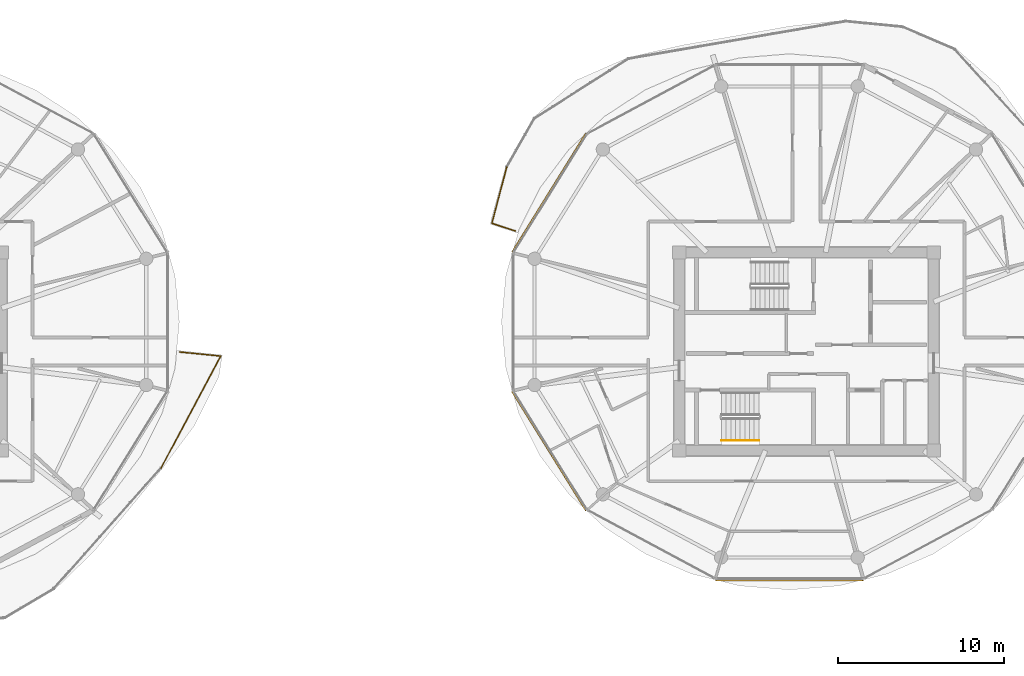
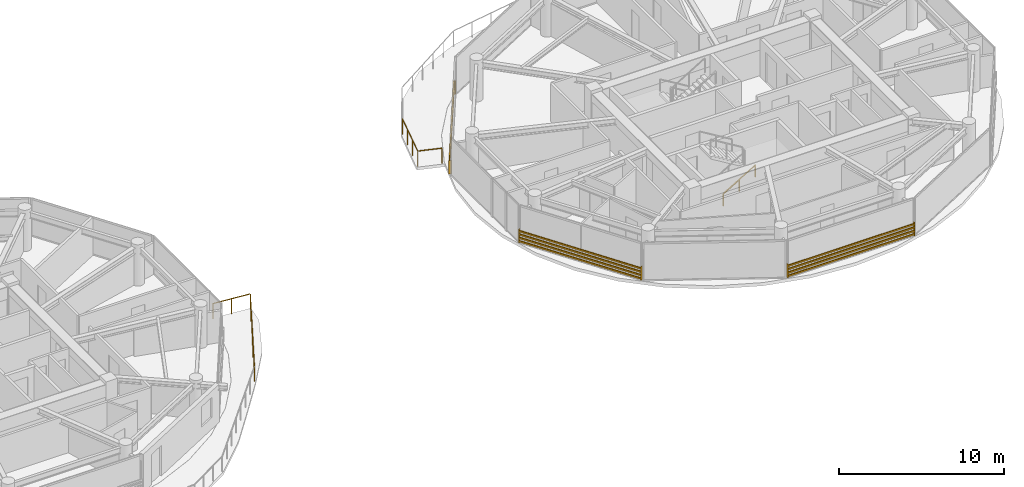
# One storey, part 20 of 22: 3 railings, 3 shading devices.
"""IFC4 building model written with IfcOpenShell, lengths in metres."""

from ifc_helpers import new_model, si_unit, direction, frame, origin, origin_2d, place, context, subcontext, project, spatial, rectangle, extrude, source, transform, mapped, material, type_object, type_shapes, element, save


model = new_model("IFC4")

# Units and contexts
model_context = context("Model", 3, precision=1e-05, world=origin(), true_north=direction((0.0, 1.0)))
body_context = subcontext(model_context, "Body", "Model", "MODEL_VIEW")
ifc_project = project(units=[si_unit("LENGTHUNIT", "METRE"), si_unit("AREAUNIT", "SQUARE_METRE"), si_unit("VOLUMEUNIT", "CUBIC_METRE"), si_unit("PLANEANGLEUNIT", "RADIAN"), si_unit("MASSUNIT", "GRAM", prefix="KILO")], contexts=[model_context])

# Site, building, storey
site_placement = place(None, origin())
site = spatial("IfcSite", under=ifc_project, at=site_placement, CompositionType="ELEMENT")
building_placement = place(site_placement, origin())
building = spatial("IfcBuilding", under=site, at=building_placement, Name="Norrkilde Senior Care Towers", CompositionType="ELEMENT")
storey_placement = place(building_placement, frame((0.0, 0.0, 180.050048828125)))
storey = spatial("IfcBuildingStorey", under=building, at=storey_placement, Name="L56", CompositionType="ELEMENT", Elevation=180.050048828125)

# Railings
ifc_material_1 = material(Name="Anodised Aluminium", Category="aluminium")
railing_type_1 = type_object("IfcRailingType", Name="Balcony Swirl Ribbon Guardrail 1150", PredefinedType="GUARDRAIL", material=ifc_material_1)
railing_1_placement = place(storey_placement, frame((10.517333984375, 7.234375, 0.0)))
element("IfcRailing", 1, at=railing_1_placement, inside=storey, type_object=railing_type_1, Name="L56 Perimeter Safety Guard 02", PredefinedType="GUARDRAIL", context=body_context, shape_type="SweptSolid", body=[
    extrude(rectangle(XDim=0.048095703125, YDim=0.048095703125, at=origin_2d()), frame((0.0, 0.0, 1.1259765625), z_axis=(-0.950551162109, 0.310568008999, 0.0), x_axis=(-0.310568008999, -0.950551162109, 0.0)), (0.0, 0.0, 1.0), 1.44873046875),
    extrude(rectangle(XDim=0.048095703125, YDim=0.048095703125, at=origin_2d()), frame((-1.405517578125, 0.502197265625, 1.1259765625), z_axis=(0.254973999632, 0.96694790941, 0.0), x_axis=(-0.96694790941, 0.254973999632, 0.0)), (0.0, 0.0, 1.0), 3.458740234375),
    extrude(rectangle(XDim=0.0419921875, YDim=0.0419921875, at=origin_2d()), origin(), (0.0, 0.0, 1.0), 1.099853515625),
    extrude(rectangle(XDim=0.0419921875, YDim=0.0419921875, at=origin_2d()), frame((-1.416015625, 0.462646484375, 0.0)), (0.0, 0.0, 1.0), 1.099853515625),
    extrude(rectangle(XDim=0.0419921875, YDim=0.0419921875, at=origin_2d()), frame((-1.11865234375, 1.590576171875, 0.0)), (0.0, 0.0, 1.0), 1.099853515625),
    extrude(rectangle(XDim=0.0419921875, YDim=0.0419921875, at=origin_2d()), frame((-0.821044921875, 2.71875, 0.0)), (0.0, 0.0, 1.0), 1.099853515625),
    extrude(rectangle(XDim=0.0419921875, YDim=0.0419921875, at=origin_2d()), frame((-0.523681640625, 3.8466796875, 0.0)), (0.0, 0.0, 1.0), 1.099853515625),
])
railing_2_placement = place(storey_placement, frame((-9.6640625, -0.03076171875, 0.0)))
element("IfcRailing", 2, at=railing_2_placement, inside=storey, type_object=railing_type_1, Name="L56 Perimeter Safety Guard 04", PredefinedType="GUARDRAIL", context=body_context, shape_type="SweptSolid", body=[
    extrude(rectangle(XDim=0.048095703125, YDim=0.048095703125, at=origin_2d()), frame((0.0, 0.0, 1.1259765625), z_axis=(0.99506626723, -0.099212518467, 0.0), x_axis=(0.099212518467, 0.99506626723, 0.0)), (0.0, 0.0, 1.0), 2.449462890625),
    extrude(rectangle(XDim=0.048095703125, YDim=0.048095703125, at=origin_2d()), frame((2.458740234375, -0.283203125, 1.1259765625), z_axis=(-0.470964823851, -0.8821519907, 0.0), x_axis=(0.8821519907, -0.470964823851, 0.0)), (0.0, 0.0, 1.0), 7.596435546875),
    extrude(rectangle(XDim=0.0419921875, YDim=0.0419921875, at=origin_2d()), origin(), (0.0, 0.0, 1.0), 1.099853515625),
    extrude(rectangle(XDim=0.0419921875, YDim=0.0419921875, at=origin_2d()), frame((1.239013671875, -0.12353515625, 0.0)), (0.0, 0.0, 1.0), 1.099853515625),
    extrude(rectangle(XDim=0.0419921875, YDim=0.0419921875, at=origin_2d()), frame((2.47802734375, -0.2470703125, 0.0)), (0.0, 0.0, 1.0), 1.099853515625),
    extrude(rectangle(XDim=0.0419921875, YDim=0.0419921875, at=origin_2d()), frame((1.87841796875, -1.369873046875, 0.0)), (0.0, 0.0, 1.0), 1.099853515625),
    extrude(rectangle(XDim=0.0419921875, YDim=0.0419921875, at=origin_2d()), frame((1.279052734375, -2.492919921875, 0.0)), (0.0, 0.0, 1.0), 1.099853515625),
    extrude(rectangle(XDim=0.0419921875, YDim=0.0419921875, at=origin_2d()), frame((0.6796875, -3.61572265625, 0.0)), (0.0, 0.0, 1.0), 1.099853515625),
    extrude(rectangle(XDim=0.0419921875, YDim=0.0419921875, at=origin_2d()), frame((0.080078125, -4.738525390625, 0.0)), (0.0, 0.0, 1.0), 1.099853515625),
    extrude(rectangle(XDim=0.0419921875, YDim=0.0419921875, at=origin_2d()), frame((-0.51953125, -5.861572265625, 0.0)), (0.0, 0.0, 1.0), 1.099853515625),
    extrude(rectangle(XDim=0.0419921875, YDim=0.0419921875, at=origin_2d()), frame((-1.118896484375, -6.984375, 0.0)), (0.0, 0.0, 1.0), 1.099853515625),
])
ifc_material_2 = material(Name="Nordic Ash Timber", Category="wood")
railing_type_2 = type_object("IfcRailingType", Name="Wall and Stair Handrail 900", PredefinedType="HANDRAIL", material=ifc_material_2)
railing_3_placement = place(storey_placement, frame((22.89990234375, -5.35009765625, 0.16943359375)))
element("IfcRailing", 3, at=railing_3_placement, inside=storey, type_object=railing_type_2, Name="L56 ST-E2 stair handrail 1", PredefinedType="HANDRAIL", context=body_context, shape_type="SweptSolid", body=[
    extrude(rectangle(XDim=0.048095703125, YDim=0.048095703125, at=origin_2d()), frame((0.0, 0.0, 0.8759765625), z_axis=(0.855553338991, 0.0, 0.51771467445), x_axis=(0.0, 1.0, 0.0)), (0.0, 0.0, 1.0), 2.6181640625),
    extrude(rectangle(XDim=0.0419921875, YDim=0.0419921875, at=origin_2d()), origin(), (0.0, 0.0, 1.0), 0.849853515625),
    extrude(rectangle(XDim=0.0419921875, YDim=0.0419921875, at=origin_2d()), frame((1.1201171875, 0.0, 0.677734375)), (0.0, 0.0, 1.0), 0.849853515625),
    extrude(rectangle(XDim=0.0419921875, YDim=0.0419921875, at=origin_2d()), frame((2.239990234375, 0.0, 1.35546875)), (0.0, 0.0, 1.0), 0.849853515625),
])

# Shading devices
ifc_material_3 = material(Name="Architectural Terracotta", Category="masonry")
shading_device_type = type_object("IfcShadingDeviceType", Name="Horizontal Terracotta Baguette Rack", PredefinedType="USERDEFINED", material=ifc_material_3)
shared_shape_1 = source(origin(), body_context, "Body", "SweptSolid", [
    extrude(rectangle(XDim=0.070068359375, YDim=0.110107421875, at=origin_2d()), frame((0.0, 0.090087890625, 0.125), z_axis=(1.0, 0.0, 0.0), x_axis=(0.0, 1.0, 0.0)), (0.0, 0.0, 1.0), 8.89306640625),
    extrude(rectangle(XDim=0.070068359375, YDim=0.110107421875, at=origin_2d()), frame((0.0, 0.090087890625, 0.375), z_axis=(1.0, 0.0, 0.0), x_axis=(0.0, 1.0, 0.0)), (0.0, 0.0, 1.0), 8.89306640625),
    extrude(rectangle(XDim=0.070068359375, YDim=0.110107421875, at=origin_2d()), frame((0.0, 0.090087890625, 0.625), z_axis=(1.0, 0.0, 0.0), x_axis=(0.0, 1.0, 0.0)), (0.0, 0.0, 1.0), 8.89306640625),
    extrude(rectangle(XDim=0.070068359375, YDim=0.110107421875, at=origin_2d()), frame((0.0, 0.090087890625, 0.875), z_axis=(1.0, 0.0, 0.0), x_axis=(0.0, 1.0, 0.0)), (0.0, 0.0, 1.0), 8.89306640625),
    extrude(rectangle(XDim=0.050048828125, YDim=0.1552734375, at=origin_2d()), frame((0.02490234375, 0.047607421875, 0.0)), (0.0, 0.0, 1.0), 1.0),
    extrude(rectangle(XDim=0.050048828125, YDim=0.1552734375, at=origin_2d()), frame((8.8681640625, 0.047607421875, 0.0)), (0.0, 0.0, 1.0), 1.0),
])
shading_device_placement = place(storey_placement, frame((31.421630859375, -13.66015625, 0.079833984375), z_axis=(0.0, 0.0, 1.0), x_axis=(-1.0, 0.0, 0.0)))
element("IfcShadingDevice", 4, at=shading_device_placement, inside=storey, type_object=shading_device_type, Name="L56 Drum E Terracotta Baguette Screen 08", ObjectType="BAGUETTE", PredefinedType="USERDEFINED", context=body_context, shape_type="MappedRepresentation", body=[
    mapped(shared_shape_1, transform((0.0, 0.0, 0.0), x_axis=(1.0, 0.0, 0.0), y_axis=(0.0, 1.0, 0.0), z_axis=(0.0, 0.0, 1.0), scale=1.0)),
])
shared_shape_2 = source(origin(), body_context, "Body", "SweptSolid", [
    extrude(rectangle(XDim=0.070068359375, YDim=0.110107421875, at=origin_2d()), frame((0.0, 0.090087890625, 0.125), z_axis=(1.0, 0.0, 0.0), x_axis=(0.0, 1.0, 0.0)), (0.0, 0.0, 1.0), 8.431396484375),
    extrude(rectangle(XDim=0.070068359375, YDim=0.110107421875, at=origin_2d()), frame((0.0, 0.090087890625, 0.375), z_axis=(1.0, 0.0, 0.0), x_axis=(0.0, 1.0, 0.0)), (0.0, 0.0, 1.0), 8.431396484375),
    extrude(rectangle(XDim=0.070068359375, YDim=0.110107421875, at=origin_2d()), frame((0.0, 0.090087890625, 0.625), z_axis=(1.0, 0.0, 0.0), x_axis=(0.0, 1.0, 0.0)), (0.0, 0.0, 1.0), 8.431396484375),
    extrude(rectangle(XDim=0.070068359375, YDim=0.110107421875, at=origin_2d()), frame((0.0, 0.090087890625, 0.875), z_axis=(1.0, 0.0, 0.0), x_axis=(0.0, 1.0, 0.0)), (0.0, 0.0, 1.0), 8.431396484375),
    extrude(rectangle(XDim=0.050048828125, YDim=0.1552734375, at=origin_2d()), frame((0.02490234375, 0.047607421875, 0.0)), (0.0, 0.0, 1.0), 1.0),
    extrude(rectangle(XDim=0.050048828125, YDim=0.1552734375, at=origin_2d()), frame((8.40625, 0.047607421875, 0.0)), (0.0, 0.0, 1.0), 1.0),
])
type_shapes(shading_device_type, [shared_shape_1, shared_shape_2])
for number, where, z_axis, x_axis, name in (
    (5, (10.38037109375, 5.911376953125, 0.079833984375), (0.0, 0.0, 1.0), (0.527378022296, 0.849630809324, 0.0), "L56 Drum E Terracotta Baguette Screen 04"),
    (6, (14.826904296875, -9.524169921875, 0.079833984375), (0.0, 0.0, 1.0), (-0.527378022296, 0.849630809324, 0.0), "L56 Drum E Terracotta Baguette Screen 06"),
):
    element("IfcShadingDevice", number, at=place(storey_placement, frame(where, z_axis=z_axis, x_axis=x_axis)), inside=storey, type_object=shading_device_type, Name=name, ObjectType="BAGUETTE", PredefinedType="USERDEFINED", context=body_context, shape_type="MappedRepresentation", body=[
        mapped(shared_shape_2, transform((0.0, 0.0, 0.0), x_axis=(1.0, 0.0, 0.0), y_axis=(0.0, 1.0, 0.0), z_axis=(0.0, 0.0, 1.0), scale=1.0)),
    ])

save(model, "model.ifc")
